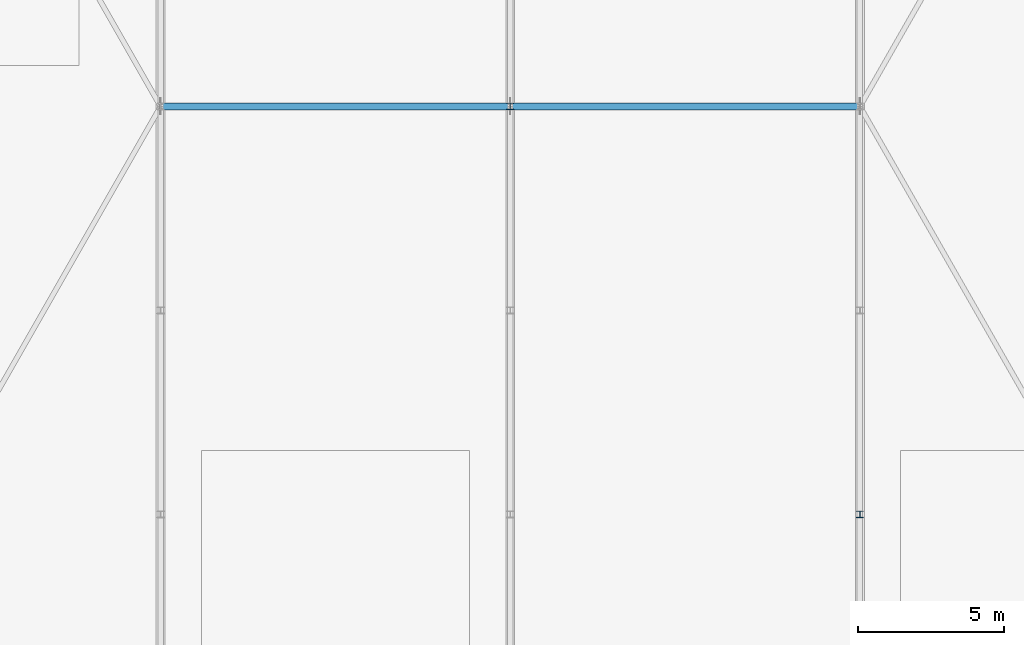
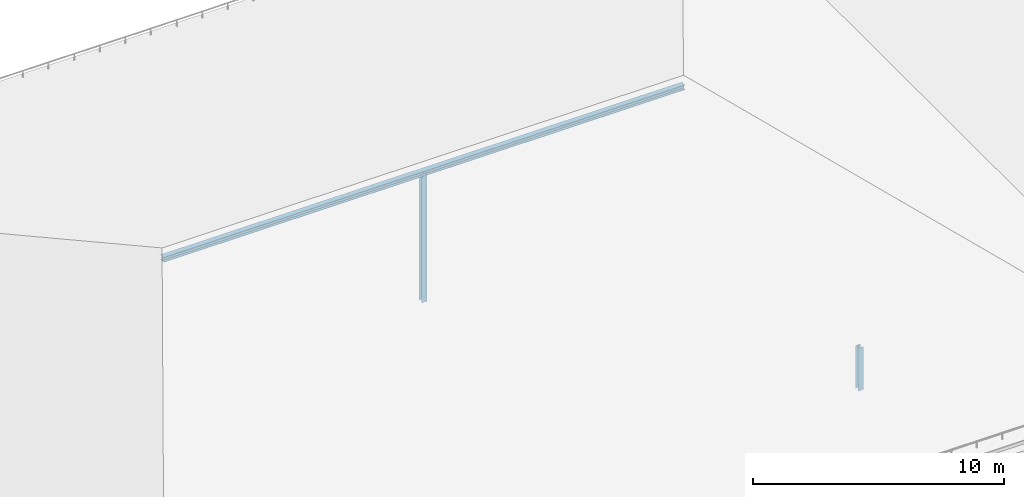
# One storey, part 9 of 204: 3 members.
"""IFC4 building model written with IfcOpenShell, lengths in metres."""

from ifc_helpers import new_model, si_unit, direction, frame, origin, origin_2d, place, context, subcontext, project, spatial, i_section, extrude, material, material_profile, profile_set, type_object, element, save


model = new_model("IFC4")

# Units and contexts
model_context = context("Model", 3, precision=1e-05, world=origin(), true_north=direction((0.0, 1.0)))
body_context = subcontext(model_context, "Body", "Model", "MODEL_VIEW")
ifc_project = project(units=[si_unit("LENGTHUNIT", "METRE"), si_unit("AREAUNIT", "SQUARE_METRE"), si_unit("VOLUMEUNIT", "CUBIC_METRE"), si_unit("PLANEANGLEUNIT", "RADIAN"), si_unit("MASSUNIT", "GRAM", prefix="KILO")], contexts=[model_context])

# Site, building, storey
site_placement = place(None, origin())
site = spatial("IfcSite", under=ifc_project, at=site_placement, CompositionType="ELEMENT")
building_placement = place(site_placement, origin())
building = spatial("IfcBuilding", under=site, at=building_placement, Name="Zilviju Railside Exhibition Hall", CompositionType="ELEMENT")
storey_placement = place(building_placement, frame((0.0, 0.0, 21.0)))
storey = spatial("IfcBuildingStorey", under=building, at=storey_placement, Name="RF", CompositionType="ELEMENT", Elevation=21.0)

# Members
ifc_material = material(Name="Steel S355J2", Category="steel")
ifc_material_profile_1 = material_profile(ifc_material, i_section(OverallWidth=0.239990234375, OverallDepth=0.239990234375, WebThickness=0.010009765625, FlangeThickness=0.01708984375, at=origin_2d()), Name="HEB 240")
ifc_profile_set_1 = profile_set([ifc_material_profile_1], Name="Steel S355J2")
member_type_1 = type_object("IfcMemberType", Name="TR-CH-HEB240", PredefinedType="CHORD", material=ifc_profile_set_1)
member_1_placement = place(storey_placement, frame((12.0, 57.0, -2.14990234375), z_axis=(1.0, 0.0, 0.0), x_axis=(0.0, 1.0, 0.0)))
element("IfcMember", 1, at=member_1_placement, inside=storey, type_object=member_type_1, Name="Congress Roof Ridge Beam", PredefinedType="CHORD", context=body_context, shape_type="SweptSolid", body=[
    extrude(i_section(OverallWidth=0.239990234375, OverallDepth=0.239990234375, WebThickness=0.010009765625, FlangeThickness=0.01708984375, at=origin_2d()), origin(), (0.0, 0.0, 1.0), 24.0),
])
ifc_material_profile_2 = material_profile(ifc_material, i_section(OverallWidth=0.239990234375, OverallDepth=0.22998046875, WebThickness=0.007568359375, FlangeThickness=0.011962890625, at=origin_2d()), Name="HEA 240")
ifc_profile_set_2 = profile_set([ifc_material_profile_2], Name="Steel S355J2")
member_type_2 = type_object("IfcMemberType", Name="TR-POST-HEA240", PredefinedType="POST", material=ifc_profile_set_2)
member_2_placement = place(storey_placement, frame((24.0, 57.0, -8.39990234375), z_axis=(0.0, 0.0, 1.0), x_axis=(1.0, 0.0, 0.0)))
element("IfcMember", 2, at=member_2_placement, inside=storey, type_object=member_type_2, Name="Congress Truss Web Post X=24.0", PredefinedType="POST", context=body_context, shape_type="SweptSolid", body=[
    extrude(i_section(OverallWidth=0.239990234375, OverallDepth=0.22998046875, WebThickness=0.007568359375, FlangeThickness=0.011962890625, at=origin_2d()), origin(), (0.0, 0.0, 1.0), 6.25),
])
member_3_placement = place(storey_placement, frame((36.0, 43.0, -8.39990234375), z_axis=(0.0, 0.0, 1.0), x_axis=(1.0, 0.0, 0.0)))
element("IfcMember", 3, at=member_3_placement, inside=storey, type_object=member_type_2, Name="Congress Truss Web Post X=36.0", PredefinedType="POST", context=body_context, shape_type="SweptSolid", body=[
    extrude(i_section(OverallWidth=0.239990234375, OverallDepth=0.22998046875, WebThickness=0.007568359375, FlangeThickness=0.011962890625, at=origin_2d()), origin(), (0.0, 0.0, 1.0), 2.079833984375),
])

save(model, "model.ifc")
